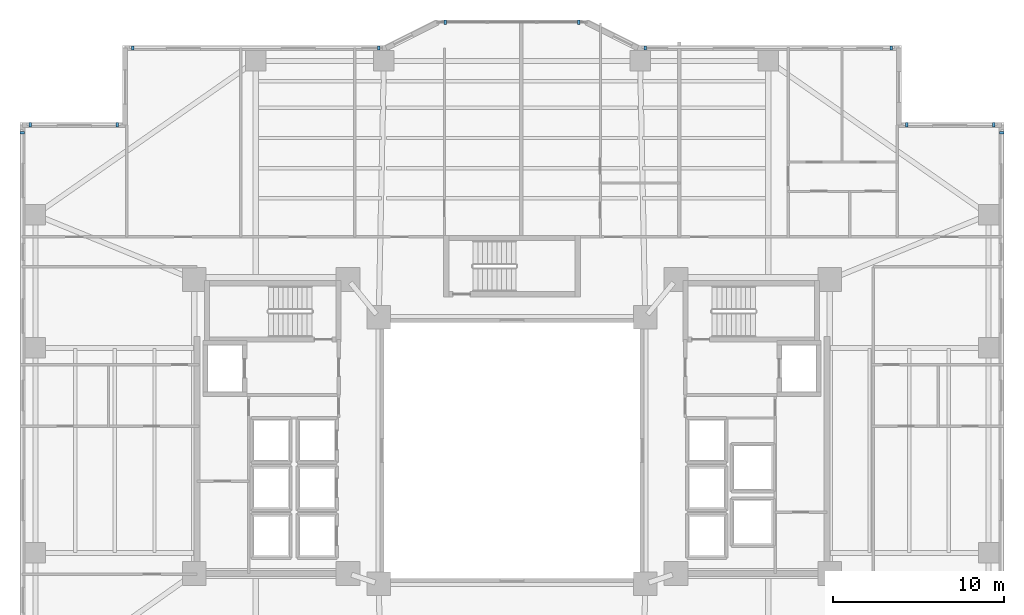
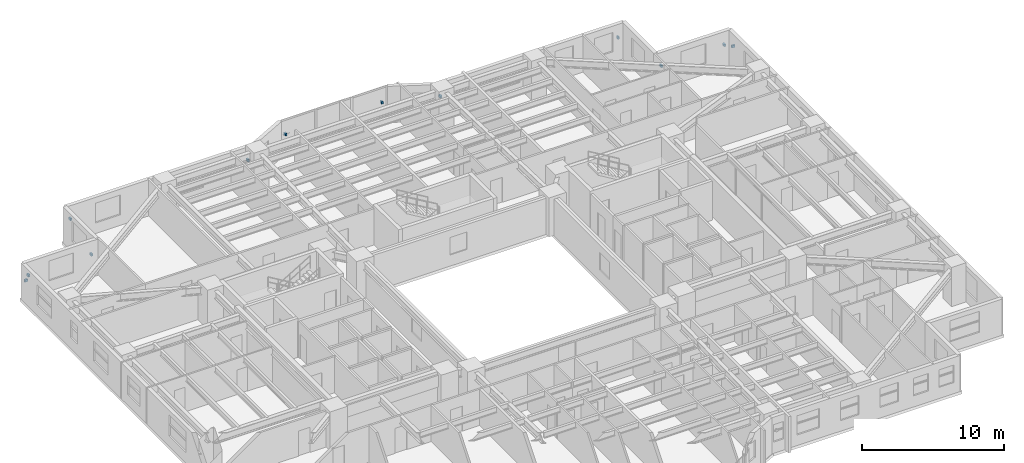
# One storey, part 18 of 21: 12 discrete accessories.
"""IFC4 building model written with IfcOpenShell, lengths in metres."""

from ifc_helpers import new_model, si_unit, direction, frame, origin, origin_2d, place, context, subcontext, project, spatial, rectangle, extrude, material, type_object, element, save


model = new_model("IFC4")

# Units and contexts
model_context = context("Model", 3, precision=1e-05, world=origin(), true_north=direction((0.0, 1.0)))
body_context = subcontext(model_context, "Body", "Model", "MODEL_VIEW")
ifc_project = project(units=[si_unit("LENGTHUNIT", "METRE"), si_unit("AREAUNIT", "SQUARE_METRE"), si_unit("VOLUMEUNIT", "CUBIC_METRE"), si_unit("PLANEANGLEUNIT", "RADIAN"), si_unit("MASSUNIT", "GRAM", prefix="KILO")], contexts=[model_context])

# Site, building, storey
site_placement = place(None, origin())
site = spatial("IfcSite", under=ifc_project, at=site_placement, CompositionType="ELEMENT")
building_placement = place(site_placement, origin())
building = spatial("IfcBuilding", under=site, at=building_placement, Name="Tarnavaz Court Tower", CompositionType="ELEMENT")
storey_placement = place(building_placement, frame((0.0, 0.0, 47.449951171875)))
storey = spatial("IfcBuildingStorey", under=building, at=storey_placement, Name="L12", CompositionType="ELEMENT", Elevation=47.449951171875)

# Discrete accessories
ifc_material = material(Name="Anodised Aluminium 6063-T6", Category="aluminium")
discrete_accessory_type = type_object("IfcDiscreteAccessoryType", Name="DA-BRKT-ALU", PredefinedType="BRACKET", material=ifc_material)
for number, where, z_axis, x_axis, name in (
    (1, (-28.669921875, 18.60009765625, 1.75), (0.0, 0.0, 1.0), (0.0, 1.0, 0.0), "L12 Baguette Outrigger Bracket FBG02-2"),
    (2, (-28.199951171875, 19.070068359375, 1.75), (0.0, 0.0, 1.0), (1.0, 0.0, 0.0), "L12 Baguette Outrigger Bracket FBG03-1"),
    (3, (-23.10009765625, 19.070068359375, 1.75), (0.0, 0.0, 1.0), (1.0, 0.0, 0.0), "L12 Baguette Outrigger Bracket FBG03-2"),
    (4, (-22.199951171875, 23.570068359375, 1.75), (0.0, 0.0, 1.0), (1.0, 0.0, 0.0), "L12 Baguette Outrigger Bracket FBG05-1"),
    (5, (-7.800048828125, 23.570068359375, 1.75), (0.0, 0.0, 1.0), (1.0, 0.0, 0.0), "L12 Baguette Outrigger Bracket FBG05-2"),
    (6, (-3.89990234375, 25.070068359375, 1.7001953125), (0.0, 0.0, 1.0), (1.0, 0.0, 0.0), "L12 Baguette Outrigger Bracket PBG7-1"),
    (7, (3.89990234375, 25.070068359375, 1.7001953125), (0.0, 0.0, 1.0), (1.0, 0.0, 0.0), "L12 Baguette Outrigger Bracket PBG7-2"),
    (8, (7.800048828125, 23.570068359375, 1.75), (0.0, 0.0, 1.0), (1.0, 0.0, 0.0), "L12 Baguette Outrigger Bracket FBG09-1"),
    (9, (22.199951171875, 23.570068359375, 1.75), (0.0, 0.0, 1.0), (1.0, 0.0, 0.0), "L12 Baguette Outrigger Bracket FBG09-2"),
    (10, (23.10009765625, 19.070068359375, 1.75), (0.0, 0.0, 1.0), (1.0, 0.0, 0.0), "L12 Baguette Outrigger Bracket FBG11-1"),
    (11, (28.199951171875, 19.070068359375, 1.75), (0.0, 0.0, 1.0), (1.0, 0.0, 0.0), "L12 Baguette Outrigger Bracket FBG11-2"),
    (12, (28.669921875, 18.60009765625, 1.75), (0.0, 0.0, 1.0), (0.0, -1.0, 0.0), "L12 Baguette Outrigger Bracket FBG12-1"),
):
    element("IfcDiscreteAccessory", number, at=place(storey_placement, frame(where, z_axis=z_axis, x_axis=x_axis)), inside=storey, type_object=discrete_accessory_type, Name=name, PredefinedType="BRACKET", context=body_context, shape_type="SweptSolid", body=[
        extrude(rectangle(XDim=0.139892578125, YDim=0.239990234375, at=origin_2d()), origin(), (0.0, 0.0, 1.0), 0.199951171875),
    ])

save(model, "model.ifc")
